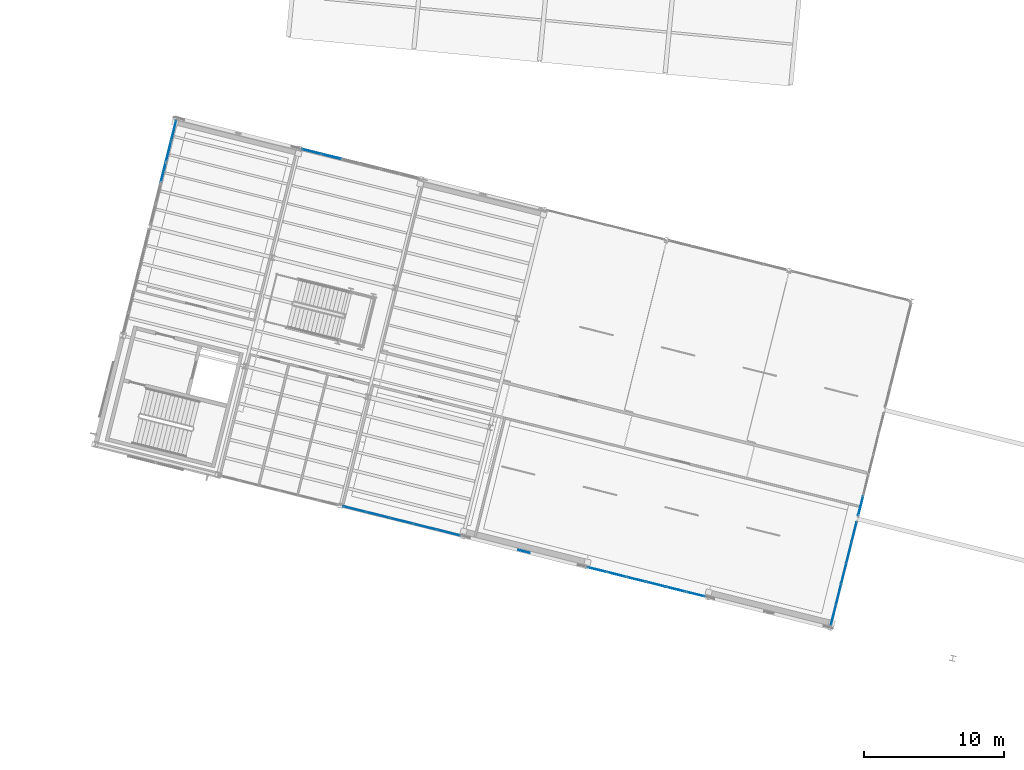
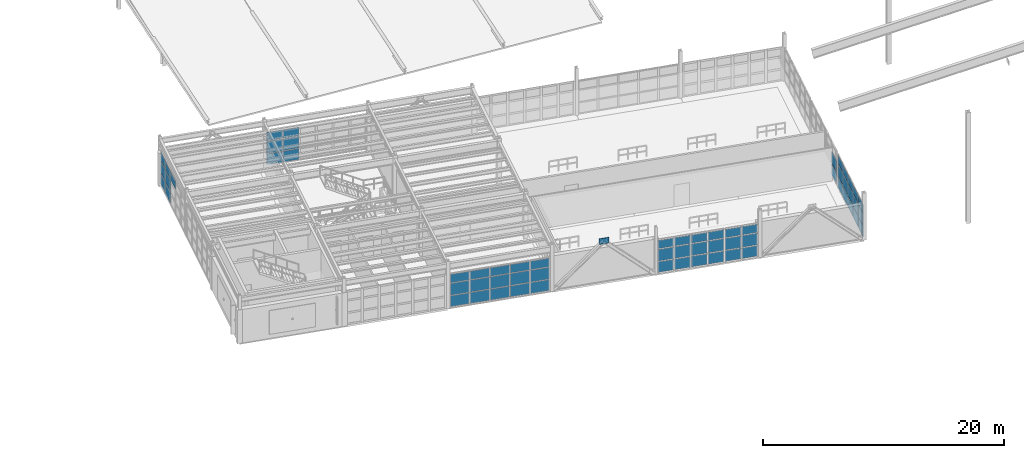
# One storey, part 34 of 59: 64 plates, 6 elements without a shape of their own.
"""IFC4 building model written with IfcOpenShell, lengths in metres."""

from ifc_helpers import new_model, si_unit, direction, frame, origin, origin_2d, place, context, subcontext, project, spatial, rectangle, extrude, material, layer, layer_set, type_object, element, aggregate, save


model = new_model("IFC4")

# Units and contexts
model_context = context("Model", 3, precision=1e-05, world=origin(), true_north=direction((0.0, 1.0)))
body_context = subcontext(model_context, "Body", "Model", "MODEL_VIEW")
ifc_project = project(units=[si_unit("LENGTHUNIT", "METRE"), si_unit("AREAUNIT", "SQUARE_METRE"), si_unit("VOLUMEUNIT", "CUBIC_METRE"), si_unit("PLANEANGLEUNIT", "RADIAN"), si_unit("MASSUNIT", "GRAM", prefix="KILO")], contexts=[model_context])

# Site, building, storey
site_placement = place(None, origin())
site = spatial("IfcSite", under=ifc_project, at=site_placement, CompositionType="ELEMENT")
building_placement = place(site_placement, origin())
building = spatial("IfcBuilding", under=site, at=building_placement, Name="Vireo Bluff Cable Station", CompositionType="ELEMENT")
storey_placement = place(building_placement, frame((0.0, 0.0, 14.39990234375)))
storey = spatial("IfcBuildingStorey", under=building, at=storey_placement, Name="L03", CompositionType="ELEMENT", Elevation=14.39990234375)

# Curtain wall, plates
ifc_material_1 = material(Name="Anodized Aluminium 6063-T6", Category="aluminium")
ifc_layer_1 = layer(ifc_material_1, 0.179931640625, Name="Anodized Aluminium 6063-T6")
ifc_layer_set_1 = layer_set([ifc_layer_1], Name="Anodized Aluminium 6063-T6")
curtain_wall_type_1 = type_object("IfcCurtainWallType", Name="CW-UNIT-1650", PredefinedType="USERDEFINED", material=ifc_layer_set_1)
curtain_wall_1_placement = place(storey_placement, origin())
curtain_wall_1 = element("IfcCurtainWall", 1, at=curtain_wall_1_placement, inside=storey, type_object=curtain_wall_type_1, Name="V1 L03 south curtain wall CW-020", ObjectType="UNITISED CURTAIN WALL", PredefinedType="USERDEFINED")
ifc_material_2 = material(Name="Laminated Low-E Insulated Glass", Category="glass")
ifc_layer_2 = layer(ifc_material_2, 0.028076171875, Name="Laminated Low-E Insulated Glass")
ifc_layer_set_2 = layer_set([ifc_layer_2], Name="Laminated Low-E Insulated Glass")
plate_type_1 = type_object("IfcPlateType", Name="CWP-28-1", PredefinedType="CURTAIN_PANEL", material=ifc_layer_set_2)
plate_1_placement = place(storey_placement, frame((79.188232421875, 31.719970703125, 0.06494140625), z_axis=(0.0, 0.0, 1.0), x_axis=(-0.970295738681, 0.241921845845, 0.0)))
plate_1 = element("IfcPlate", 2, at=plate_1_placement, type_object=plate_type_1, Name="CW-020 panel 1.1", PredefinedType="CURTAIN_PANEL", context=body_context, shape_type="SweptSolid", body=[
    extrude(rectangle(XDim=1.640380859375, YDim=0.028076171875, at=origin_2d()), origin(), (0.0, 0.0, 1.0), 1.092529296875),
])
plate_2_placement = place(storey_placement, frame((79.188232421875, 31.719970703125, 1.22265625), z_axis=(0.0, 0.0, 1.0), x_axis=(-0.970295738681, 0.241921845845, 0.0)))
plate_2 = element("IfcPlate", 3, at=plate_2_placement, type_object=plate_type_1, Name="CW-020 panel 1.2", PredefinedType="CURTAIN_PANEL", context=body_context, shape_type="SweptSolid", body=[
    extrude(rectangle(XDim=1.640380859375, YDim=0.028076171875, at=origin_2d()), origin(), (0.0, 0.0, 1.0), 1.193115234375),
])
plate_3_placement = place(storey_placement, frame((79.188232421875, 31.719970703125, 2.480712890625), z_axis=(0.0, 0.0, 1.0), x_axis=(-0.970295738681, 0.241921845845, 0.0)))
plate_3 = element("IfcPlate", 4, at=plate_3_placement, type_object=plate_type_1, Name="CW-020 panel 1.3", PredefinedType="CURTAIN_PANEL", context=body_context, shape_type="SweptSolid", body=[
    extrude(rectangle(XDim=1.640380859375, YDim=0.028076171875, at=origin_2d()), origin(), (0.0, 0.0, 1.0), 0.8544921875),
])
plate_4_placement = place(storey_placement, frame((77.517822265625, 32.13623046875, 0.06494140625), z_axis=(0.0, 0.0, 1.0), x_axis=(-0.970295738681, 0.241921845845, 0.0)))
plate_4 = element("IfcPlate", 5, at=plate_4_placement, type_object=plate_type_1, Name="CW-020 panel 2.1", PredefinedType="CURTAIN_PANEL", context=body_context, shape_type="SweptSolid", body=[
    extrude(rectangle(XDim=1.6728515625, YDim=0.028076171875, at=origin_2d()), origin(), (0.0, 0.0, 1.0), 1.092529296875),
])
plate_5_placement = place(storey_placement, frame((77.517822265625, 32.13623046875, 1.22265625), z_axis=(0.0, 0.0, 1.0), x_axis=(-0.970295738681, 0.241921845845, 0.0)))
plate_5 = element("IfcPlate", 6, at=plate_5_placement, type_object=plate_type_1, Name="CW-020 panel 2.2", PredefinedType="CURTAIN_PANEL", context=body_context, shape_type="SweptSolid", body=[
    extrude(rectangle(XDim=1.6728515625, YDim=0.028076171875, at=origin_2d()), origin(), (0.0, 0.0, 1.0), 1.193115234375),
])
plate_6_placement = place(storey_placement, frame((77.517822265625, 32.13623046875, 2.480712890625), z_axis=(0.0, 0.0, 1.0), x_axis=(-0.970295738681, 0.241921845845, 0.0)))
plate_6 = element("IfcPlate", 7, at=plate_6_placement, type_object=plate_type_1, Name="CW-020 panel 2.3", PredefinedType="CURTAIN_PANEL", context=body_context, shape_type="SweptSolid", body=[
    extrude(rectangle(XDim=1.6728515625, YDim=0.028076171875, at=origin_2d()), origin(), (0.0, 0.0, 1.0), 0.8544921875),
])
plate_7_placement = place(storey_placement, frame((75.83154296875, 32.556640625, 0.06494140625), z_axis=(0.0, 0.0, 1.0), x_axis=(-0.970295738681, 0.241921845845, 0.0)))
plate_7 = element("IfcPlate", 8, at=plate_7_placement, type_object=plate_type_1, Name="CW-020 panel 3.1", PredefinedType="CURTAIN_PANEL", context=body_context, shape_type="SweptSolid", body=[
    extrude(rectangle(XDim=1.6728515625, YDim=0.028076171875, at=origin_2d()), origin(), (0.0, 0.0, 1.0), 1.092529296875),
])
plate_8_placement = place(storey_placement, frame((75.83154296875, 32.556640625, 1.22265625), z_axis=(0.0, 0.0, 1.0), x_axis=(-0.970295738681, 0.241921845845, 0.0)))
plate_8 = element("IfcPlate", 9, at=plate_8_placement, type_object=plate_type_1, Name="CW-020 panel 3.2", PredefinedType="CURTAIN_PANEL", context=body_context, shape_type="SweptSolid", body=[
    extrude(rectangle(XDim=1.6728515625, YDim=0.028076171875, at=origin_2d()), origin(), (0.0, 0.0, 1.0), 1.193115234375),
])
plate_9_placement = place(storey_placement, frame((75.83154296875, 32.556640625, 2.480712890625), z_axis=(0.0, 0.0, 1.0), x_axis=(-0.970295738681, 0.241921845845, 0.0)))
plate_9 = element("IfcPlate", 10, at=plate_9_placement, type_object=plate_type_1, Name="CW-020 panel 3.3", PredefinedType="CURTAIN_PANEL", context=body_context, shape_type="SweptSolid", body=[
    extrude(rectangle(XDim=1.6728515625, YDim=0.028076171875, at=origin_2d()), origin(), (0.0, 0.0, 1.0), 0.8544921875),
])
plate_10_placement = place(storey_placement, frame((74.1455078125, 32.97705078125, 0.06494140625), z_axis=(0.0, 0.0, 1.0), x_axis=(-0.970295738681, 0.241921845845, 0.0)))
plate_10 = element("IfcPlate", 11, at=plate_10_placement, type_object=plate_type_1, Name="CW-020 panel 4.1", PredefinedType="CURTAIN_PANEL", context=body_context, shape_type="SweptSolid", body=[
    extrude(rectangle(XDim=1.6728515625, YDim=0.028076171875, at=origin_2d()), origin(), (0.0, 0.0, 1.0), 1.092529296875),
])
plate_11_placement = place(storey_placement, frame((74.1455078125, 32.97705078125, 1.22265625), z_axis=(0.0, 0.0, 1.0), x_axis=(-0.970295738681, 0.241921845845, 0.0)))
plate_11 = element("IfcPlate", 12, at=plate_11_placement, type_object=plate_type_1, Name="CW-020 panel 4.2", PredefinedType="CURTAIN_PANEL", context=body_context, shape_type="SweptSolid", body=[
    extrude(rectangle(XDim=1.6728515625, YDim=0.028076171875, at=origin_2d()), origin(), (0.0, 0.0, 1.0), 1.193115234375),
])
plate_12_placement = place(storey_placement, frame((74.1455078125, 32.97705078125, 2.480712890625), z_axis=(0.0, 0.0, 1.0), x_axis=(-0.970295738681, 0.241921845845, 0.0)))
plate_12 = element("IfcPlate", 13, at=plate_12_placement, type_object=plate_type_1, Name="CW-020 panel 4.3", PredefinedType="CURTAIN_PANEL", context=body_context, shape_type="SweptSolid", body=[
    extrude(rectangle(XDim=1.6728515625, YDim=0.028076171875, at=origin_2d()), origin(), (0.0, 0.0, 1.0), 0.8544921875),
])
plate_13_placement = place(storey_placement, frame((72.47509765625, 33.3935546875, 0.06494140625), z_axis=(0.0, 0.0, 1.0), x_axis=(-0.970295738681, 0.241921845845, 0.0)))
plate_13 = element("IfcPlate", 14, at=plate_13_placement, type_object=plate_type_1, Name="CW-020 panel 5.1", PredefinedType="CURTAIN_PANEL", context=body_context, shape_type="SweptSolid", body=[
    extrude(rectangle(XDim=1.640380859375, YDim=0.028076171875, at=origin_2d()), origin(), (0.0, 0.0, 1.0), 1.092529296875),
])
plate_14_placement = place(storey_placement, frame((72.47509765625, 33.3935546875, 1.22265625), z_axis=(0.0, 0.0, 1.0), x_axis=(-0.970295738681, 0.241921845845, 0.0)))
plate_14 = element("IfcPlate", 15, at=plate_14_placement, type_object=plate_type_1, Name="CW-020 panel 5.2", PredefinedType="CURTAIN_PANEL", context=body_context, shape_type="SweptSolid", body=[
    extrude(rectangle(XDim=1.640380859375, YDim=0.028076171875, at=origin_2d()), origin(), (0.0, 0.0, 1.0), 1.193115234375),
])
plate_15_placement = place(storey_placement, frame((72.47509765625, 33.3935546875, 2.480712890625), z_axis=(0.0, 0.0, 1.0), x_axis=(-0.970295738681, 0.241921845845, 0.0)))
plate_15 = element("IfcPlate", 16, at=plate_15_placement, type_object=plate_type_1, Name="CW-020 panel 5.3", PredefinedType="CURTAIN_PANEL", context=body_context, shape_type="SweptSolid", body=[
    extrude(rectangle(XDim=1.640380859375, YDim=0.028076171875, at=origin_2d()), origin(), (0.0, 0.0, 1.0), 0.8544921875),
])
aggregate(curtain_wall_1, [plate_1, plate_2, plate_3, plate_4, plate_5, plate_6, plate_7, plate_8, plate_9, plate_10, plate_11, plate_12, plate_13, plate_14, plate_15])

ifc_layer_3 = layer(ifc_material_1, 0.179931640625, Name="Anodized Aluminium 6063-T6")
ifc_layer_set_3 = layer_set([ifc_layer_3], Name="Anodized Aluminium 6063-T6")
curtain_wall_type_2 = type_object("IfcCurtainWallType", Name="CW-UNIT-1400", PredefinedType="USERDEFINED", material=ifc_layer_set_3)
curtain_wall_2_placement = place(storey_placement, origin())
curtain_wall_2 = element("IfcCurtainWall", 17, at=curtain_wall_2_placement, inside=storey, type_object=curtain_wall_type_2, Name="V1 L03 east curtain wall CW-030", ObjectType="UNITISED CURTAIN WALL", PredefinedType="USERDEFINED")
plate_16_placement = place(storey_placement, frame((108.098388671875, 31.764404296875, 0.06005859375), z_axis=(0.0, 0.0, 1.0), x_axis=(-0.241921910062, -0.97029572267, 0.0)))
plate_16 = element("IfcPlate", 18, at=plate_16_placement, type_object=plate_type_1, Name="CW-030 panel 1.1", PredefinedType="CURTAIN_PANEL", context=body_context, shape_type="SweptSolid", body=[
    extrude(rectangle(XDim=1.441650390625, YDim=0.028076171875, at=origin_2d()), origin(), (0.0, 0.0, 1.0), 1.10009765625),
])
plate_17_placement = place(storey_placement, frame((108.098388671875, 31.764404296875, 1.22021484375), z_axis=(0.0, 0.0, 1.0), x_axis=(-0.241921910062, -0.97029572267, 0.0)))
plate_17 = element("IfcPlate", 19, at=plate_17_placement, type_object=plate_type_1, Name="CW-030 panel 1.2", PredefinedType="CURTAIN_PANEL", context=body_context, shape_type="SweptSolid", body=[
    extrude(rectangle(XDim=1.441650390625, YDim=0.028076171875, at=origin_2d()), origin(), (0.0, 0.0, 1.0), 1.197998046875),
])
plate_18_placement = place(storey_placement, frame((108.098388671875, 31.764404296875, 2.47802734375), z_axis=(0.0, 0.0, 1.0), x_axis=(-0.241921910062, -0.97029572267, 0.0)))
plate_18 = element("IfcPlate", 20, at=plate_18_placement, type_object=plate_type_1, Name="CW-030 panel 1.3", PredefinedType="CURTAIN_PANEL", context=body_context, shape_type="SweptSolid", body=[
    extrude(rectangle(XDim=1.441650390625, YDim=0.028076171875, at=origin_2d()), origin(), (0.0, 0.0, 1.0), 0.862060546875),
])
plate_19_placement = place(storey_placement, frame((107.7314453125, 30.292724609375, 0.06005859375), z_axis=(0.0, 0.0, 1.0), x_axis=(-0.241921910062, -0.97029572267, 0.0)))
plate_19 = element("IfcPlate", 21, at=plate_19_placement, type_object=plate_type_1, Name="CW-030 panel 2.1", PredefinedType="CURTAIN_PANEL", context=body_context, shape_type="SweptSolid", body=[
    extrude(rectangle(XDim=1.4716796875, YDim=0.028076171875, at=origin_2d()), origin(), (0.0, 0.0, 1.0), 1.10009765625),
])
plate_20_placement = place(storey_placement, frame((107.7314453125, 30.292724609375, 1.22021484375), z_axis=(0.0, 0.0, 1.0), x_axis=(-0.241921910062, -0.97029572267, 0.0)))
plate_20 = element("IfcPlate", 22, at=plate_20_placement, type_object=plate_type_1, Name="CW-030 panel 2.2", PredefinedType="CURTAIN_PANEL", context=body_context, shape_type="SweptSolid", body=[
    extrude(rectangle(XDim=1.4716796875, YDim=0.028076171875, at=origin_2d()), origin(), (0.0, 0.0, 1.0), 1.197998046875),
])
plate_21_placement = place(storey_placement, frame((107.7314453125, 30.292724609375, 2.47802734375), z_axis=(0.0, 0.0, 1.0), x_axis=(-0.241921910062, -0.97029572267, 0.0)))
plate_21 = element("IfcPlate", 23, at=plate_21_placement, type_object=plate_type_1, Name="CW-030 panel 2.3", PredefinedType="CURTAIN_PANEL", context=body_context, shape_type="SweptSolid", body=[
    extrude(rectangle(XDim=1.4716796875, YDim=0.028076171875, at=origin_2d()), origin(), (0.0, 0.0, 1.0), 0.862060546875),
])
plate_22_placement = place(storey_placement, frame((107.36083984375, 28.806396484375, 0.06005859375), z_axis=(0.0, 0.0, 1.0), x_axis=(-0.241921910062, -0.97029572267, 0.0)))
plate_22 = element("IfcPlate", 24, at=plate_22_placement, type_object=plate_type_1, Name="CW-030 panel 3.1", PredefinedType="CURTAIN_PANEL", context=body_context, shape_type="SweptSolid", body=[
    extrude(rectangle(XDim=1.4716796875, YDim=0.028076171875, at=origin_2d()), origin(), (0.0, 0.0, 1.0), 1.10009765625),
])
plate_23_placement = place(storey_placement, frame((107.36083984375, 28.806396484375, 1.22021484375), z_axis=(0.0, 0.0, 1.0), x_axis=(-0.241921910062, -0.97029572267, 0.0)))
plate_23 = element("IfcPlate", 25, at=plate_23_placement, type_object=plate_type_1, Name="CW-030 panel 3.2", PredefinedType="CURTAIN_PANEL", context=body_context, shape_type="SweptSolid", body=[
    extrude(rectangle(XDim=1.4716796875, YDim=0.028076171875, at=origin_2d()), origin(), (0.0, 0.0, 1.0), 1.197998046875),
])
plate_24_placement = place(storey_placement, frame((107.36083984375, 28.806396484375, 2.47802734375), z_axis=(0.0, 0.0, 1.0), x_axis=(-0.241921910062, -0.97029572267, 0.0)))
plate_24 = element("IfcPlate", 26, at=plate_24_placement, type_object=plate_type_1, Name="CW-030 panel 3.3", PredefinedType="CURTAIN_PANEL", context=body_context, shape_type="SweptSolid", body=[
    extrude(rectangle(XDim=1.4716796875, YDim=0.028076171875, at=origin_2d()), origin(), (0.0, 0.0, 1.0), 0.862060546875),
])
plate_25_placement = place(storey_placement, frame((106.990478515625, 27.3203125, 0.06005859375), z_axis=(0.0, 0.0, 1.0), x_axis=(-0.241921910062, -0.97029572267, 0.0)))
plate_25 = element("IfcPlate", 27, at=plate_25_placement, type_object=plate_type_1, Name="CW-030 panel 4.1", PredefinedType="CURTAIN_PANEL", context=body_context, shape_type="SweptSolid", body=[
    extrude(rectangle(XDim=1.4716796875, YDim=0.028076171875, at=origin_2d()), origin(), (0.0, 0.0, 1.0), 1.10009765625),
])
plate_26_placement = place(storey_placement, frame((106.990478515625, 27.3203125, 1.22021484375), z_axis=(0.0, 0.0, 1.0), x_axis=(-0.241921910062, -0.97029572267, 0.0)))
plate_26 = element("IfcPlate", 28, at=plate_26_placement, type_object=plate_type_1, Name="CW-030 panel 4.2", PredefinedType="CURTAIN_PANEL", context=body_context, shape_type="SweptSolid", body=[
    extrude(rectangle(XDim=1.4716796875, YDim=0.028076171875, at=origin_2d()), origin(), (0.0, 0.0, 1.0), 1.197998046875),
])
plate_27_placement = place(storey_placement, frame((106.990478515625, 27.3203125, 2.47802734375), z_axis=(0.0, 0.0, 1.0), x_axis=(-0.241921910062, -0.97029572267, 0.0)))
plate_27 = element("IfcPlate", 29, at=plate_27_placement, type_object=plate_type_1, Name="CW-030 panel 4.3", PredefinedType="CURTAIN_PANEL", context=body_context, shape_type="SweptSolid", body=[
    extrude(rectangle(XDim=1.4716796875, YDim=0.028076171875, at=origin_2d()), origin(), (0.0, 0.0, 1.0), 0.862060546875),
])
plate_28_placement = place(storey_placement, frame((106.62353515625, 25.8486328125, 0.06005859375), z_axis=(0.0, 0.0, 1.0), x_axis=(-0.241921910062, -0.97029572267, 0.0)))
plate_28 = element("IfcPlate", 30, at=plate_28_placement, type_object=plate_type_1, Name="CW-030 panel 5.1", PredefinedType="CURTAIN_PANEL", context=body_context, shape_type="SweptSolid", body=[
    extrude(rectangle(XDim=1.441650390625, YDim=0.028076171875, at=origin_2d()), origin(), (0.0, 0.0, 1.0), 1.10009765625),
])
plate_29_placement = place(storey_placement, frame((106.62353515625, 25.8486328125, 1.22021484375), z_axis=(0.0, 0.0, 1.0), x_axis=(-0.241921910062, -0.97029572267, 0.0)))
plate_29 = element("IfcPlate", 31, at=plate_29_placement, type_object=plate_type_1, Name="CW-030 panel 5.2", PredefinedType="CURTAIN_PANEL", context=body_context, shape_type="SweptSolid", body=[
    extrude(rectangle(XDim=1.441650390625, YDim=0.028076171875, at=origin_2d()), origin(), (0.0, 0.0, 1.0), 1.197998046875),
])
plate_30_placement = place(storey_placement, frame((106.62353515625, 25.8486328125, 2.47802734375), z_axis=(0.0, 0.0, 1.0), x_axis=(-0.241921910062, -0.97029572267, 0.0)))
plate_30 = element("IfcPlate", 32, at=plate_30_placement, type_object=plate_type_1, Name="CW-030 panel 5.3", PredefinedType="CURTAIN_PANEL", context=body_context, shape_type="SweptSolid", body=[
    extrude(rectangle(XDim=1.441650390625, YDim=0.028076171875, at=origin_2d()), origin(), (0.0, 0.0, 1.0), 0.862060546875),
])
aggregate(curtain_wall_2, [plate_16, plate_17, plate_18, plate_19, plate_20, plate_21, plate_22, plate_23, plate_24, plate_25, plate_26, plate_27, plate_28, plate_29, plate_30])

curtain_wall_3_placement = place(storey_placement, origin())
curtain_wall_3 = element("IfcCurtainWall", 33, at=curtain_wall_3_placement, inside=storey, type_object=curtain_wall_type_1, Name="V1 L03 west curtain wall CW-023", ObjectType="UNITISED CURTAIN WALL", PredefinedType="USERDEFINED")
ifc_material_3 = material(Name="Insulated Spandrel Glass Panel", Category="glass")
ifc_layer_4 = layer(ifc_material_3, 0.0419921875, Name="Insulated Spandrel Glass Panel")
ifc_layer_set_4 = layer_set([ifc_layer_4], Name="Insulated Spandrel Glass Panel")
plate_type_2 = type_object("IfcPlateType", Name="CWP-42-4", PredefinedType="CURTAIN_PANEL", material=ifc_layer_set_4)
plate_31_placement = place(storey_placement, frame((58.8388671875, 57.407958984375, 2.488037109375), z_axis=(0.0, 0.0, 1.0), x_axis=(0.241921913906, 0.970295721712, 0.0)))
plate_31 = element("IfcPlate", 34, at=plate_31_placement, type_object=plate_type_2, Name="CW-023 panel 3.3", PredefinedType="CURTAIN_PANEL", context=body_context, shape_type="SweptSolid", body=[
    extrude(rectangle(XDim=1.46728515625, YDim=0.0419921875, at=origin_2d()), origin(), (0.0, 0.0, 1.0), 0.83203125),
])
plate_32_placement = place(storey_placement, frame((59.213134765625, 58.9091796875, 0.080078125), z_axis=(0.0, 0.0, 1.0), x_axis=(0.241921913906, 0.970295721712, 0.0)))
plate_32 = element("IfcPlate", 35, at=plate_32_placement, type_object=plate_type_2, Name="CW-023 panel 4.1", PredefinedType="CURTAIN_PANEL", context=body_context, shape_type="SweptSolid", body=[
    extrude(rectangle(XDim=1.46728515625, YDim=0.0419921875, at=origin_2d()), origin(), (0.0, 0.0, 1.0), 1.070068359375),
])
plate_33_placement = place(storey_placement, frame((59.213134765625, 58.9091796875, 1.22998046875), z_axis=(0.0, 0.0, 1.0), x_axis=(0.241921913906, 0.970295721712, 0.0)))
plate_33 = element("IfcPlate", 36, at=plate_33_placement, type_object=plate_type_2, Name="CW-023 panel 4.2", PredefinedType="CURTAIN_PANEL", context=body_context, shape_type="SweptSolid", body=[
    extrude(rectangle(XDim=1.46728515625, YDim=0.0419921875, at=origin_2d()), origin(), (0.0, 0.0, 1.0), 1.177978515625),
])
plate_34_placement = place(storey_placement, frame((59.213134765625, 58.9091796875, 2.488037109375), z_axis=(0.0, 0.0, 1.0), x_axis=(0.241921913906, 0.970295721712, 0.0)))
plate_34 = element("IfcPlate", 37, at=plate_34_placement, type_object=plate_type_2, Name="CW-023 panel 4.3", PredefinedType="CURTAIN_PANEL", context=body_context, shape_type="SweptSolid", body=[
    extrude(rectangle(XDim=1.46728515625, YDim=0.0419921875, at=origin_2d()), origin(), (0.0, 0.0, 1.0), 0.83203125),
])
plate_35_placement = place(storey_placement, frame((59.582763671875, 60.390869140625, 0.080078125), z_axis=(0.0, 0.0, 1.0), x_axis=(0.241921913906, 0.970295721712, 0.0)))
plate_35 = element("IfcPlate", 38, at=plate_35_placement, type_object=plate_type_2, Name="CW-023 panel 5.1", PredefinedType="CURTAIN_PANEL", context=body_context, shape_type="SweptSolid", body=[
    extrude(rectangle(XDim=1.42724609375, YDim=0.0419921875, at=origin_2d()), origin(), (0.0, 0.0, 1.0), 1.070068359375),
])
plate_36_placement = place(storey_placement, frame((59.582763671875, 60.390869140625, 1.22998046875), z_axis=(0.0, 0.0, 1.0), x_axis=(0.241921913906, 0.970295721712, 0.0)))
plate_36 = element("IfcPlate", 39, at=plate_36_placement, type_object=plate_type_2, Name="CW-023 panel 5.2", PredefinedType="CURTAIN_PANEL", context=body_context, shape_type="SweptSolid", body=[
    extrude(rectangle(XDim=1.42724609375, YDim=0.0419921875, at=origin_2d()), origin(), (0.0, 0.0, 1.0), 1.177978515625),
])
plate_37_placement = place(storey_placement, frame((59.582763671875, 60.390869140625, 2.488037109375), z_axis=(0.0, 0.0, 1.0), x_axis=(0.241921913906, 0.970295721712, 0.0)))
plate_37 = element("IfcPlate", 40, at=plate_37_placement, type_object=plate_type_2, Name="CW-023 panel 5.3", PredefinedType="CURTAIN_PANEL", context=body_context, shape_type="SweptSolid", body=[
    extrude(rectangle(XDim=1.42724609375, YDim=0.0419921875, at=origin_2d()), origin(), (0.0, 0.0, 1.0), 0.83203125),
])
aggregate(curtain_wall_3, [plate_31, plate_32, plate_33, plate_34, plate_35, plate_36, plate_37])

ifc_layer_5 = layer(ifc_material_1, 0.179931640625, Name="Anodized Aluminium 6063-T6")
ifc_layer_set_5 = layer_set([ifc_layer_5], Name="Anodized Aluminium 6063-T6")
curtain_wall_type_3 = type_object("IfcCurtainWallType", Name="CW-UNIT-1500", PredefinedType="USERDEFINED", material=ifc_layer_set_5)
curtain_wall_4_placement = place(storey_placement, origin())
curtain_wall_4 = element("IfcCurtainWall", 41, at=curtain_wall_4_placement, inside=storey, type_object=curtain_wall_type_3, Name="V1 L03 south curtain wall CW-019", ObjectType="UNITISED CURTAIN WALL", PredefinedType="USERDEFINED")
ifc_layer_6 = layer(ifc_material_3, 0.048095703125, Name="Insulated Spandrel Glass Panel")
ifc_layer_set_6 = layer_set([ifc_layer_6], Name="Insulated Spandrel Glass Panel")
plate_type_3 = type_object("IfcPlateType", Name="CWP-48-5", PredefinedType="CURTAIN_PANEL", material=ifc_layer_set_6)
plate_38_placement = place(storey_placement, frame((96.786376953125, 27.332275390625, 0.080078125), z_axis=(0.0, 0.0, 1.0), x_axis=(-0.970295736469, 0.241921854719, 0.0)))
plate_38 = element("IfcPlate", 42, at=plate_38_placement, type_object=plate_type_3, Name="CW-019 panel 1.1", PredefinedType="CURTAIN_PANEL", context=body_context, shape_type="SweptSolid", body=[
    extrude(rectangle(XDim=1.336669921875, YDim=0.048095703125, at=origin_2d()), origin(), (0.0, 0.0, 1.0), 1.070068359375),
])
plate_39_placement = place(storey_placement, frame((96.786376953125, 27.332275390625, 1.22998046875), z_axis=(0.0, 0.0, 1.0), x_axis=(-0.970295736469, 0.241921854719, 0.0)))
plate_39 = element("IfcPlate", 43, at=plate_39_placement, type_object=plate_type_3, Name="CW-019 panel 1.2", PredefinedType="CURTAIN_PANEL", context=body_context, shape_type="SweptSolid", body=[
    extrude(rectangle(XDim=1.336669921875, YDim=0.048095703125, at=origin_2d()), origin(), (0.0, 0.0, 1.0), 1.177978515625),
])
plate_40_placement = place(storey_placement, frame((96.786376953125, 27.332275390625, 2.488037109375), z_axis=(0.0, 0.0, 1.0), x_axis=(-0.970295736469, 0.241921854719, 0.0)))
plate_40 = element("IfcPlate", 44, at=plate_40_placement, type_object=plate_type_3, Name="CW-019 panel 1.3", PredefinedType="CURTAIN_PANEL", context=body_context, shape_type="SweptSolid", body=[
    extrude(rectangle(XDim=1.336669921875, YDim=0.048095703125, at=origin_2d()), origin(), (0.0, 0.0, 1.0), 0.83203125),
])
plate_41_placement = place(storey_placement, frame((95.39208984375, 27.6796875, 0.080078125), z_axis=(0.0, 0.0, 1.0), x_axis=(-0.970295736469, 0.241921854719, 0.0)))
plate_41 = element("IfcPlate", 45, at=plate_41_placement, type_object=plate_type_3, Name="CW-019 panel 2.1", PredefinedType="CURTAIN_PANEL", context=body_context, shape_type="SweptSolid", body=[
    extrude(rectangle(XDim=1.376708984375, YDim=0.048095703125, at=origin_2d()), origin(), (0.0, 0.0, 1.0), 1.070068359375),
])
plate_42_placement = place(storey_placement, frame((95.39208984375, 27.6796875, 1.22998046875), z_axis=(0.0, 0.0, 1.0), x_axis=(-0.970295736469, 0.241921854719, 0.0)))
plate_42 = element("IfcPlate", 46, at=plate_42_placement, type_object=plate_type_3, Name="CW-019 panel 2.2", PredefinedType="CURTAIN_PANEL", context=body_context, shape_type="SweptSolid", body=[
    extrude(rectangle(XDim=1.376708984375, YDim=0.048095703125, at=origin_2d()), origin(), (0.0, 0.0, 1.0), 1.177978515625),
])
plate_43_placement = place(storey_placement, frame((95.39208984375, 27.6796875, 2.488037109375), z_axis=(0.0, 0.0, 1.0), x_axis=(-0.970295736469, 0.241921854719, 0.0)))
plate_43 = element("IfcPlate", 47, at=plate_43_placement, type_object=plate_type_3, Name="CW-019 panel 2.3", PredefinedType="CURTAIN_PANEL", context=body_context, shape_type="SweptSolid", body=[
    extrude(rectangle(XDim=1.376708984375, YDim=0.048095703125, at=origin_2d()), origin(), (0.0, 0.0, 1.0), 0.83203125),
])
plate_44_placement = place(storey_placement, frame((93.978759765625, 28.0322265625, 0.080078125), z_axis=(0.0, 0.0, 1.0), x_axis=(-0.970295736469, 0.241921854719, 0.0)))
plate_44 = element("IfcPlate", 48, at=plate_44_placement, type_object=plate_type_3, Name="CW-019 panel 3.1", PredefinedType="CURTAIN_PANEL", context=body_context, shape_type="SweptSolid", body=[
    extrude(rectangle(XDim=1.376708984375, YDim=0.048095703125, at=origin_2d()), origin(), (0.0, 0.0, 1.0), 1.070068359375),
])
plate_45_placement = place(storey_placement, frame((93.978759765625, 28.0322265625, 1.22998046875), z_axis=(0.0, 0.0, 1.0), x_axis=(-0.970295736469, 0.241921854719, 0.0)))
plate_45 = element("IfcPlate", 49, at=plate_45_placement, type_object=plate_type_3, Name="CW-019 panel 3.2", PredefinedType="CURTAIN_PANEL", context=body_context, shape_type="SweptSolid", body=[
    extrude(rectangle(XDim=1.376708984375, YDim=0.048095703125, at=origin_2d()), origin(), (0.0, 0.0, 1.0), 1.177978515625),
])
plate_46_placement = place(storey_placement, frame((93.978759765625, 28.0322265625, 2.488037109375), z_axis=(0.0, 0.0, 1.0), x_axis=(-0.970295736469, 0.241921854719, 0.0)))
plate_46 = element("IfcPlate", 50, at=plate_46_placement, type_object=plate_type_3, Name="CW-019 panel 3.3", PredefinedType="CURTAIN_PANEL", context=body_context, shape_type="SweptSolid", body=[
    extrude(rectangle(XDim=1.376708984375, YDim=0.048095703125, at=origin_2d()), origin(), (0.0, 0.0, 1.0), 0.83203125),
])
plate_47_placement = place(storey_placement, frame((92.565185546875, 28.384521484375, 0.080078125), z_axis=(0.0, 0.0, 1.0), x_axis=(-0.970295736469, 0.241921854719, 0.0)))
plate_47 = element("IfcPlate", 51, at=plate_47_placement, type_object=plate_type_3, Name="CW-019 panel 4.1", PredefinedType="CURTAIN_PANEL", context=body_context, shape_type="SweptSolid", body=[
    extrude(rectangle(XDim=1.376708984375, YDim=0.048095703125, at=origin_2d()), origin(), (0.0, 0.0, 1.0), 1.070068359375),
])
plate_48_placement = place(storey_placement, frame((92.565185546875, 28.384521484375, 1.22998046875), z_axis=(0.0, 0.0, 1.0), x_axis=(-0.970295736469, 0.241921854719, 0.0)))
plate_48 = element("IfcPlate", 52, at=plate_48_placement, type_object=plate_type_3, Name="CW-019 panel 4.2", PredefinedType="CURTAIN_PANEL", context=body_context, shape_type="SweptSolid", body=[
    extrude(rectangle(XDim=1.376708984375, YDim=0.048095703125, at=origin_2d()), origin(), (0.0, 0.0, 1.0), 1.177978515625),
])
plate_49_placement = place(storey_placement, frame((92.565185546875, 28.384521484375, 2.488037109375), z_axis=(0.0, 0.0, 1.0), x_axis=(-0.970295736469, 0.241921854719, 0.0)))
plate_49 = element("IfcPlate", 53, at=plate_49_placement, type_object=plate_type_3, Name="CW-019 panel 4.3", PredefinedType="CURTAIN_PANEL", context=body_context, shape_type="SweptSolid", body=[
    extrude(rectangle(XDim=1.376708984375, YDim=0.048095703125, at=origin_2d()), origin(), (0.0, 0.0, 1.0), 0.83203125),
])
plate_50_placement = place(storey_placement, frame((91.15185546875, 28.737060546875, 0.080078125), z_axis=(0.0, 0.0, 1.0), x_axis=(-0.970295736469, 0.241921854719, 0.0)))
plate_50 = element("IfcPlate", 54, at=plate_50_placement, type_object=plate_type_3, Name="CW-019 panel 5.1", PredefinedType="CURTAIN_PANEL", context=body_context, shape_type="SweptSolid", body=[
    extrude(rectangle(XDim=1.376708984375, YDim=0.048095703125, at=origin_2d()), origin(), (0.0, 0.0, 1.0), 1.070068359375),
])
plate_51_placement = place(storey_placement, frame((91.15185546875, 28.737060546875, 1.22998046875), z_axis=(0.0, 0.0, 1.0), x_axis=(-0.970295736469, 0.241921854719, 0.0)))
plate_51 = element("IfcPlate", 55, at=plate_51_placement, type_object=plate_type_3, Name="CW-019 panel 5.2", PredefinedType="CURTAIN_PANEL", context=body_context, shape_type="SweptSolid", body=[
    extrude(rectangle(XDim=1.376708984375, YDim=0.048095703125, at=origin_2d()), origin(), (0.0, 0.0, 1.0), 1.177978515625),
])
plate_52_placement = place(storey_placement, frame((91.15185546875, 28.737060546875, 2.488037109375), z_axis=(0.0, 0.0, 1.0), x_axis=(-0.970295736469, 0.241921854719, 0.0)))
plate_52 = element("IfcPlate", 56, at=plate_52_placement, type_object=plate_type_3, Name="CW-019 panel 5.3", PredefinedType="CURTAIN_PANEL", context=body_context, shape_type="SweptSolid", body=[
    extrude(rectangle(XDim=1.376708984375, YDim=0.048095703125, at=origin_2d()), origin(), (0.0, 0.0, 1.0), 0.83203125),
])
plate_53_placement = place(storey_placement, frame((89.7578125, 29.084716796875, 0.080078125), z_axis=(0.0, 0.0, 1.0), x_axis=(-0.970295736469, 0.241921854719, 0.0)))
plate_53 = element("IfcPlate", 57, at=plate_53_placement, type_object=plate_type_3, Name="CW-019 panel 6.1", PredefinedType="CURTAIN_PANEL", context=body_context, shape_type="SweptSolid", body=[
    extrude(rectangle(XDim=1.336669921875, YDim=0.048095703125, at=origin_2d()), origin(), (0.0, 0.0, 1.0), 1.070068359375),
])
plate_54_placement = place(storey_placement, frame((89.7578125, 29.084716796875, 1.22998046875), z_axis=(0.0, 0.0, 1.0), x_axis=(-0.970295736469, 0.241921854719, 0.0)))
plate_54 = element("IfcPlate", 58, at=plate_54_placement, type_object=plate_type_3, Name="CW-019 panel 6.2", PredefinedType="CURTAIN_PANEL", context=body_context, shape_type="SweptSolid", body=[
    extrude(rectangle(XDim=1.336669921875, YDim=0.048095703125, at=origin_2d()), origin(), (0.0, 0.0, 1.0), 1.177978515625),
])
plate_55_placement = place(storey_placement, frame((89.7578125, 29.084716796875, 2.488037109375), z_axis=(0.0, 0.0, 1.0), x_axis=(-0.970295736469, 0.241921854719, 0.0)))
plate_55 = element("IfcPlate", 59, at=plate_55_placement, type_object=plate_type_3, Name="CW-019 panel 6.3", PredefinedType="CURTAIN_PANEL", context=body_context, shape_type="SweptSolid", body=[
    extrude(rectangle(XDim=1.336669921875, YDim=0.048095703125, at=origin_2d()), origin(), (0.0, 0.0, 1.0), 0.83203125),
])
aggregate(curtain_wall_4, [plate_38, plate_39, plate_40, plate_41, plate_42, plate_43, plate_44, plate_45, plate_46, plate_47, plate_48, plate_49, plate_50, plate_51, plate_52, plate_53, plate_54, plate_55])

curtain_wall_5_placement = place(storey_placement, origin())
curtain_wall_5 = element("IfcCurtainWall", 60, at=curtain_wall_5_placement, inside=storey, type_object=curtain_wall_type_2, Name="V1 L03 north curtain wall CW-024", ObjectType="UNITISED CURTAIN WALL", PredefinedType="USERDEFINED")
plate_56_placement = place(storey_placement, frame((69.4072265625, 58.893310546875, 0.06494140625), z_axis=(0.0, 0.0, 1.0), x_axis=(0.970295730477, -0.241921878749, 0.0)))
plate_56 = element("IfcPlate", 61, at=plate_56_placement, type_object=plate_type_3, Name="CW-024 panel 1.1", PredefinedType="CURTAIN_PANEL", context=body_context, shape_type="SweptSolid", body=[
    extrude(rectangle(XDim=1.35107421875, YDim=0.048095703125, at=origin_2d()), origin(), (0.0, 0.0, 1.0), 1.092529296875),
])
plate_57_placement = place(storey_placement, frame((69.4072265625, 58.893310546875, 1.22265625), z_axis=(0.0, 0.0, 1.0), x_axis=(0.970295730477, -0.241921878749, 0.0)))
plate_57 = element("IfcPlate", 62, at=plate_57_placement, type_object=plate_type_3, Name="CW-024 panel 1.2", PredefinedType="CURTAIN_PANEL", context=body_context, shape_type="SweptSolid", body=[
    extrude(rectangle(XDim=1.35107421875, YDim=0.048095703125, at=origin_2d()), origin(), (0.0, 0.0, 1.0), 1.193115234375),
])
plate_58_placement = place(storey_placement, frame((69.4072265625, 58.893310546875, 2.480712890625), z_axis=(0.0, 0.0, 1.0), x_axis=(0.970295730477, -0.241921878749, 0.0)))
plate_58 = element("IfcPlate", 63, at=plate_58_placement, type_object=plate_type_3, Name="CW-024 panel 1.3", PredefinedType="CURTAIN_PANEL", context=body_context, shape_type="SweptSolid", body=[
    extrude(rectangle(XDim=1.35107421875, YDim=0.048095703125, at=origin_2d()), origin(), (0.0, 0.0, 1.0), 0.8544921875),
])
plate_59_placement = place(storey_placement, frame((70.796875, 58.546875, 0.06494140625), z_axis=(0.0, 0.0, 1.0), x_axis=(0.970295730477, -0.241921878749, 0.0)))
plate_59 = element("IfcPlate", 64, at=plate_59_placement, type_object=plate_type_3, Name="CW-024 panel 2.1", PredefinedType="CURTAIN_PANEL", context=body_context, shape_type="SweptSolid", body=[
    extrude(rectangle(XDim=1.383544921875, YDim=0.048095703125, at=origin_2d()), origin(), (0.0, 0.0, 1.0), 1.092529296875),
])
plate_60_placement = place(storey_placement, frame((70.796875, 58.546875, 1.22265625), z_axis=(0.0, 0.0, 1.0), x_axis=(0.970295730477, -0.241921878749, 0.0)))
plate_60 = element("IfcPlate", 65, at=plate_60_placement, type_object=plate_type_3, Name="CW-024 panel 2.2", PredefinedType="CURTAIN_PANEL", context=body_context, shape_type="SweptSolid", body=[
    extrude(rectangle(XDim=1.383544921875, YDim=0.048095703125, at=origin_2d()), origin(), (0.0, 0.0, 1.0), 1.193115234375),
])
plate_61_placement = place(storey_placement, frame((70.796875, 58.546875, 2.480712890625), z_axis=(0.0, 0.0, 1.0), x_axis=(0.970295730477, -0.241921878749, 0.0)))
plate_61 = element("IfcPlate", 66, at=plate_61_placement, type_object=plate_type_3, Name="CW-024 panel 2.3", PredefinedType="CURTAIN_PANEL", context=body_context, shape_type="SweptSolid", body=[
    extrude(rectangle(XDim=1.383544921875, YDim=0.048095703125, at=origin_2d()), origin(), (0.0, 0.0, 1.0), 0.8544921875),
])
aggregate(curtain_wall_5, [plate_56, plate_57, plate_58, plate_59, plate_60, plate_61])

curtain_wall_6_placement = place(storey_placement, origin())
curtain_wall_6 = element("IfcCurtainWall", 67, at=curtain_wall_6_placement, inside=storey, type_object=curtain_wall_type_1, Name="V1 L03 east curtain wall CW-029", ObjectType="UNITISED CURTAIN WALL", PredefinedType="USERDEFINED")
plate_62_placement = place(storey_placement, frame((108.564697265625, 33.63427734375, 0.0751953125), z_axis=(0.0, 0.0, 1.0), x_axis=(-0.241921950655, -0.970295712549, 0.0)))
plate_62 = element("IfcPlate", 68, at=plate_62_placement, type_object=plate_type_3, Name="CW-029 panel 5.1", PredefinedType="CURTAIN_PANEL", context=body_context, shape_type="SweptSolid", body=[
    extrude(rectangle(XDim=1.414794921875, YDim=0.048095703125, at=origin_2d()), origin(), (0.0, 0.0, 1.0), 1.077392578125),
])
plate_63_placement = place(storey_placement, frame((108.564697265625, 33.63427734375, 1.2275390625), z_axis=(0.0, 0.0, 1.0), x_axis=(-0.241921950655, -0.970295712549, 0.0)))
plate_63 = element("IfcPlate", 69, at=plate_63_placement, type_object=plate_type_3, Name="CW-029 panel 5.2", PredefinedType="CURTAIN_PANEL", context=body_context, shape_type="SweptSolid", body=[
    extrude(rectangle(XDim=1.414794921875, YDim=0.048095703125, at=origin_2d()), origin(), (0.0, 0.0, 1.0), 1.18310546875),
])
aggregate(curtain_wall_6, [plate_62, plate_63])

# Plate
ifc_material_4 = material(Name="Steel ASTM A572 Gr. 50", Category="steel")
ifc_layer_7 = layer(ifc_material_4, 0.035888671875, Name="Steel ASTM A572 Gr. 50")
ifc_layer_set_7 = layer_set([ifc_layer_7], Name="Steel ASTM A572 Gr. 50")
plate_type_4 = type_object("IfcPlateType", Name="GUSSET-840X580X36", PredefinedType="USERDEFINED", material=ifc_layer_set_7)
plate_64_placement = place(storey_placement, frame((84.564208984375, 30.37939453125, 3.89013671875), z_axis=(0.0, 0.0, 1.0), x_axis=(0.970295726276, -0.2419218956, 0.0)))
element("IfcPlate", 70, at=plate_64_placement, inside=storey, type_object=plate_type_4, Name="V1 L03 chevron gusset plate 59", ObjectType="GUSSET PLATE", PredefinedType="USERDEFINED", context=body_context, shape_type="SweptSolid", body=[
    extrude(rectangle(XDim=0.840087890625, YDim=0.035888671875, at=origin_2d()), origin(), (0.0, 0.0, 1.0), 0.580078125),
])

save(model, "model.ifc")
